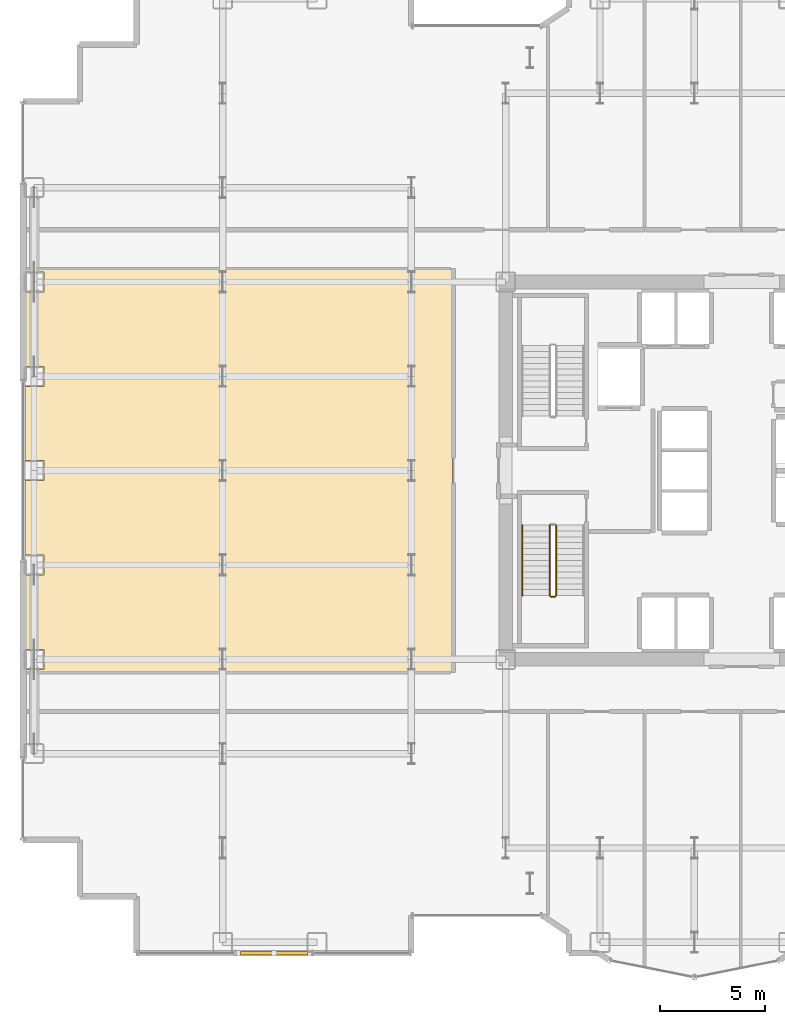
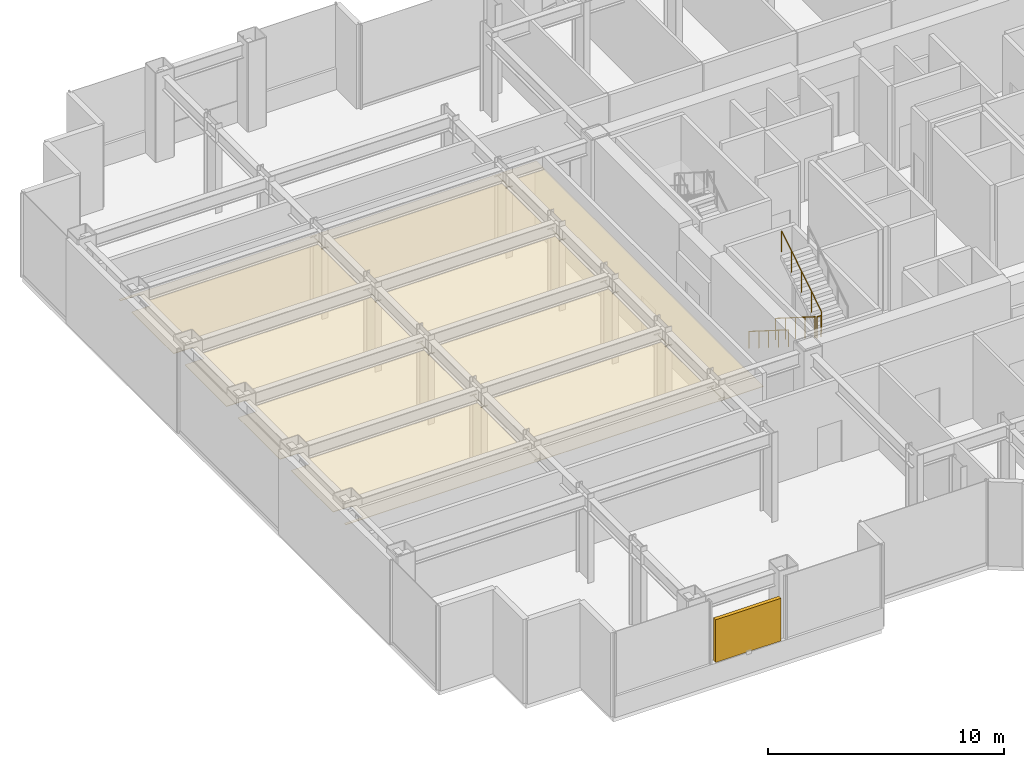
# One storey, part 27 of 30: 4 railings, 1 covering, 1 shading device.
"""IFC4 building model written with IfcOpenShell, lengths in metres."""

from ifc_helpers import new_model, si_unit, direction, frame, origin, origin_2d, place, context, subcontext, project, spatial, polyline, rectangle, circle, outline, extrude, source, transform, mapped, material, layer, layer_set, type_object, element, save


model = new_model("IFC4")

# Units and contexts
model_context = context("Model", 3, precision=1e-05, world=origin(), true_north=direction((0.0, 1.0)))
body_context = subcontext(model_context, "Body", "Model", "MODEL_VIEW")
ifc_project = project(units=[si_unit("LENGTHUNIT", "METRE"), si_unit("AREAUNIT", "SQUARE_METRE"), si_unit("VOLUMEUNIT", "CUBIC_METRE"), si_unit("PLANEANGLEUNIT", "RADIAN"), si_unit("MASSUNIT", "GRAM", prefix="KILO")], contexts=[model_context])

# Site, building, storey
site_placement = place(None, origin())
site = spatial("IfcSite", under=ifc_project, at=site_placement, CompositionType="ELEMENT")
building_placement = place(site_placement, origin())
building = spatial("IfcBuilding", under=site, at=building_placement, Name="Nefas-Gora Pilgrimage Tower", CompositionType="ELEMENT")
storey_placement = place(building_placement, frame((0.0, 0.0, 86.199951171875)))
storey = spatial("IfcBuildingStorey", under=building, at=storey_placement, Name="L20", CompositionType="ELEMENT", Elevation=86.199951171875)

# Covering
ifc_material_1 = material(Name="Perforated gypsum acoustic ceiling")
ifc_layer = layer(ifc_material_1, 0.02490234375)
ifc_layer_set = layer_set([ifc_layer], Name="Perforated gypsum acoustic ceiling")
covering_type = type_object("IfcCoveringType", Name="COV-CEIL-ACOUST", PredefinedType="CEILING", material=ifc_layer_set)
covering_placement = place(storey_placement, frame((0.0, 0.0, 3.60498046875)))
element("IfcCovering", 1, at=covering_placement, inside=storey, type_object=covering_type, Name="L20 Acoustic Suspended Ceiling (Refuge Area West)", PredefinedType="CEILING", context=body_context, shape_type="SweptSolid", body=[
    extrude(outline(polyline([(-34.18994140625, 9.47705078125), (-33.27294921875, 9.47705078125), (-33.27294921875, 8.52294921875), (-34.18994140625, 8.52294921875), (-34.18994140625, 4.97705078125), (-33.27294921875, 4.97705078125), (-33.27294921875, 4.02294921875), (-34.18994140625, 4.02294921875), (-34.18994140625, 0.47705078125), (-33.27294921875, 0.47705078125), (-33.27294921875, -0.47705078125), (-34.18994140625, -0.47705078125), (-34.18994140625, -4.02294921875), (-33.27294921875, -4.02294921875), (-33.27294921875, -4.97705078125), (-34.18994140625, -4.97705078125), (-34.18994140625, -8.52294921875), (-33.27294921875, -8.52294921875), (-33.27294921875, -9.47705078125), (-34.18994140625, -9.47705078125), (-34.18994140625, -9.60009765625), (-13.780029296875, -9.60009765625), (-13.780029296875, 9.60009765625), (-34.18994140625, 9.60009765625), (-34.18994140625, 9.47705078125)]), holes=[polyline([(-15.596923828125, 5.006103515625), (-15.596923828125, 4.9619140625), (-15.737548828125, 4.9619140625), (-15.737548828125, 4.0380859375), (-15.596923828125, 4.0380859375), (-15.596923828125, 3.993896484375), (-15.903076171875, 3.993896484375), (-15.903076171875, 4.0380859375), (-15.762451171875, 4.0380859375), (-15.762451171875, 4.9619140625), (-15.903076171875, 4.9619140625), (-15.903076171875, 5.006103515625), (-15.596923828125, 5.006103515625)]), polyline([(-15.596923828125, 9.506103515625), (-15.596923828125, 9.4619140625), (-15.737548828125, 9.4619140625), (-15.737548828125, 8.5380859375), (-15.596923828125, 8.5380859375), (-15.596923828125, 8.493896484375), (-15.903076171875, 8.493896484375), (-15.903076171875, 8.5380859375), (-15.762451171875, 8.5380859375), (-15.762451171875, 9.4619140625), (-15.903076171875, 9.4619140625), (-15.903076171875, 9.506103515625), (-15.596923828125, 9.506103515625)]), polyline([(-15.596923828125, -8.5380859375), (-15.737548828125, -8.5380859375), (-15.737548828125, -9.4619140625), (-15.596923828125, -9.4619140625), (-15.596923828125, -9.506103515625), (-15.903076171875, -9.506103515625), (-15.903076171875, -9.4619140625), (-15.762451171875, -9.4619140625), (-15.762451171875, -8.5380859375), (-15.903076171875, -8.5380859375), (-15.903076171875, -8.493896484375), (-15.596923828125, -8.493896484375), (-15.596923828125, -8.5380859375)]), polyline([(-15.596923828125, -4.0380859375), (-15.737548828125, -4.0380859375), (-15.737548828125, -4.9619140625), (-15.596923828125, -4.9619140625), (-15.596923828125, -5.006103515625), (-15.903076171875, -5.006103515625), (-15.903076171875, -4.9619140625), (-15.762451171875, -4.9619140625), (-15.762451171875, -4.0380859375), (-15.903076171875, -4.0380859375), (-15.903076171875, -3.993896484375), (-15.596923828125, -3.993896484375), (-15.596923828125, -4.0380859375)]), polyline([(-15.596923828125, 0.4619140625), (-15.737548828125, 0.4619140625), (-15.737548828125, -0.4619140625), (-15.596923828125, -0.4619140625), (-15.596923828125, -0.506103515625), (-15.903076171875, -0.506103515625), (-15.903076171875, -0.4619140625), (-15.762451171875, -0.4619140625), (-15.762451171875, 0.4619140625), (-15.903076171875, 0.4619140625), (-15.903076171875, 0.506103515625), (-15.596923828125, 0.506103515625), (-15.596923828125, 0.4619140625)]), polyline([(-24.596923828125, -3.993896484375), (-24.596923828125, -4.0380859375), (-24.737548828125, -4.0380859375), (-24.737548828125, -4.9619140625), (-24.596923828125, -4.9619140625), (-24.596923828125, -5.006103515625), (-24.903076171875, -5.006103515625), (-24.903076171875, -4.9619140625), (-24.762451171875, -4.9619140625), (-24.762451171875, -4.0380859375), (-24.903076171875, -4.0380859375), (-24.903076171875, -3.993896484375), (-24.596923828125, -3.993896484375)]), polyline([(-24.596923828125, -8.5380859375), (-24.737548828125, -8.5380859375), (-24.737548828125, -9.4619140625), (-24.596923828125, -9.4619140625), (-24.596923828125, -9.506103515625), (-24.903076171875, -9.506103515625), (-24.903076171875, -9.4619140625), (-24.762451171875, -9.4619140625), (-24.762451171875, -8.5380859375), (-24.903076171875, -8.5380859375), (-24.903076171875, -8.493896484375), (-24.596923828125, -8.493896484375), (-24.596923828125, -8.5380859375)]), polyline([(-24.596923828125, 0.4619140625), (-24.737548828125, 0.4619140625), (-24.737548828125, -0.4619140625), (-24.596923828125, -0.4619140625), (-24.596923828125, -0.506103515625), (-24.903076171875, -0.506103515625), (-24.903076171875, -0.4619140625), (-24.762451171875, -0.4619140625), (-24.762451171875, 0.4619140625), (-24.903076171875, 0.4619140625), (-24.903076171875, 0.506103515625), (-24.596923828125, 0.506103515625), (-24.596923828125, 0.4619140625)]), polyline([(-24.596923828125, 4.9619140625), (-24.737548828125, 4.9619140625), (-24.737548828125, 4.0380859375), (-24.596923828125, 4.0380859375), (-24.596923828125, 3.993896484375), (-24.903076171875, 3.993896484375), (-24.903076171875, 4.0380859375), (-24.762451171875, 4.0380859375), (-24.762451171875, 4.9619140625), (-24.903076171875, 4.9619140625), (-24.903076171875, 5.006103515625), (-24.596923828125, 5.006103515625), (-24.596923828125, 4.9619140625)]), polyline([(-24.596923828125, 9.4619140625), (-24.737548828125, 9.4619140625), (-24.737548828125, 8.5380859375), (-24.596923828125, 8.5380859375), (-24.596923828125, 8.493896484375), (-24.903076171875, 8.493896484375), (-24.903076171875, 8.5380859375), (-24.762451171875, 8.5380859375), (-24.762451171875, 9.4619140625), (-24.903076171875, 9.4619140625), (-24.903076171875, 9.506103515625), (-24.596923828125, 9.506103515625), (-24.596923828125, 9.4619140625)])]), origin(), (0.0, 0.0, 1.0), 0.025146484375),
])

# Railings
ifc_material_2 = material(Name="Painted galvanised steel", Category="steel")
railing_type_1 = type_object("IfcRailingType", Name="RLG-STR-GUARD-1100", PredefinedType="GUARDRAIL", material=ifc_material_2)
railing_1_placement = place(storey_placement, frame((-9.14990234375, -2.60009765625, 0.177001953125)))
element("IfcRailing", 2, at=railing_1_placement, inside=storey, type_object=railing_type_1, Name="L20 ST-03 stair guard 1", PredefinedType="GUARDRAIL", context=body_context, shape_type="SweptSolid", body=[
    extrude(circle(Radius=0.02392578125, at=origin_2d()), frame((0.0, 0.0, 1.09619140625), z_axis=(0.0, -0.845372108799, 0.534177870812), x_axis=(1.0, 0.0, 0.0)), (0.0, 0.0, 1.0), 3.974365234375),
    extrude(circle(Radius=0.02099609375, at=origin_2d()), origin(), (0.0, 0.0, 1.0), 1.072021484375),
    extrude(circle(Radius=0.02099609375, at=origin_2d()), frame((0.0, -0.83984375, 0.53076171875)), (0.0, 0.0, 1.0), 1.072021484375),
    extrude(circle(Radius=0.02099609375, at=origin_2d()), frame((0.0, -1.679931640625, 1.0615234375)), (0.0, 0.0, 1.0), 1.072021484375),
    extrude(circle(Radius=0.02099609375, at=origin_2d()), frame((0.0, -2.52001953125, 1.59228515625)), (0.0, 0.0, 1.0), 1.072021484375),
    extrude(circle(Radius=0.02099609375, at=origin_2d()), frame((0.0, -3.35986328125, 2.123046875)), (0.0, 0.0, 1.0), 1.072021484375),
])
railing_2_placement = place(storey_placement, frame((-9.10009765625, -6.010009765625, 2.300048828125)))
element("IfcRailing", 3, at=railing_2_placement, inside=storey, type_object=railing_type_1, Name="L20 ST-03 stair guard 2", PredefinedType="GUARDRAIL", context=body_context, shape_type="SweptSolid", body=[
    extrude(circle(Radius=0.02392578125, at=origin_2d()), frame((0.0, 0.0, 1.09619140625), z_axis=(1.0, 0.0, 0.0), x_axis=(0.0, 1.0, 0.0)), (0.0, 0.0, 1.0), 0.2001953125),
    extrude(circle(Radius=0.02099609375, at=origin_2d()), origin(), (0.0, 0.0, 1.0), 1.072021484375),
    extrude(circle(Radius=0.02099609375, at=origin_2d()), frame((0.2001953125, 0.0, 0.0)), (0.0, 0.0, 1.0), 1.072021484375),
])
railing_3_placement = place(storey_placement, frame((-8.85009765625, -5.9599609375, 2.47705078125)))
element("IfcRailing", 4, at=railing_3_placement, inside=storey, type_object=railing_type_1, Name="L20 ST-03 stair guard 3", PredefinedType="GUARDRAIL", context=body_context, shape_type="SweptSolid", body=[
    extrude(circle(Radius=0.02392578125, at=origin_2d()), frame((0.0, 0.0, 1.09619140625), z_axis=(0.0, 0.845372108799, 0.534177870812), x_axis=(-1.0, 0.0, 0.0)), (0.0, 0.0, 1.0), 3.974365234375),
    extrude(circle(Radius=0.02099609375, at=origin_2d()), origin(), (0.0, 0.0, 1.0), 1.072021484375),
    extrude(circle(Radius=0.02099609375, at=origin_2d()), frame((0.0, 0.83984375, 0.53076171875)), (0.0, 0.0, 1.0), 1.072021484375),
    extrude(circle(Radius=0.02099609375, at=origin_2d()), frame((0.0, 1.679931640625, 1.0615234375)), (0.0, 0.0, 1.0), 1.072021484375),
    extrude(circle(Radius=0.02099609375, at=origin_2d()), frame((0.0, 2.52001953125, 1.59228515625)), (0.0, 0.0, 1.0), 1.072021484375),
    extrude(circle(Radius=0.02099609375, at=origin_2d()), frame((0.0, 3.35986328125, 2.123046875)), (0.0, 0.0, 1.0), 1.072021484375),
])
ifc_material_3 = material(Name="Brushed stainless steel", Category="steel")
railing_type_2 = type_object("IfcRailingType", Name="RLG-STR-HAND-900", PredefinedType="HANDRAIL", material=ifc_material_3)
railing_4_placement = place(storey_placement, frame((-10.449951171875, -2.60009765625, 0.177001953125)))
element("IfcRailing", 5, at=railing_4_placement, inside=storey, type_object=railing_type_2, Name="L20 ST-03 stair handrail 1", PredefinedType="HANDRAIL", context=body_context, shape_type="SweptSolid", body=[
    extrude(circle(Radius=0.02392578125, at=origin_2d()), frame((0.0, 0.0, 0.8759765625), z_axis=(0.0, -0.845372108799, 0.534177870812), x_axis=(1.0, 0.0, 0.0)), (0.0, 0.0, 1.0), 3.974365234375),
    extrude(circle(Radius=0.02099609375, at=origin_2d()), origin(), (0.0, 0.0, 1.0), 0.851806640625),
    extrude(circle(Radius=0.02099609375, at=origin_2d()), frame((0.0, -0.83984375, 0.53076171875)), (0.0, 0.0, 1.0), 0.851806640625),
    extrude(circle(Radius=0.02099609375, at=origin_2d()), frame((0.0, -1.679931640625, 1.0615234375)), (0.0, 0.0, 1.0), 0.851806640625),
    extrude(circle(Radius=0.02099609375, at=origin_2d()), frame((0.0, -2.52001953125, 1.59228515625)), (0.0, 0.0, 1.0), 0.851806640625),
    extrude(circle(Radius=0.02099609375, at=origin_2d()), frame((0.0, -3.35986328125, 2.123046875)), (0.0, 0.0, 1.0), 0.851806640625),
])

# Shading device
ifc_material_4 = material(Name="Dark-bronze anodised aluminium acoustic storm louvre", Category="aluminium")
shading_device_type = type_object("IfcShadingDeviceType", Name="SHD-LOUVRE-JAL", PredefinedType="JALOUSIE", material=ifc_material_4)
shared_shape = source(origin(), body_context, "Body", "SweptSolid", [
    extrude(rectangle(XDim=3.199951171875, YDim=0.179931640625, at=origin_2d()), origin(), (0.0, 0.0, 1.0), 2.199951171875),
])
shading_device_placement = place(storey_placement, frame((-22.31005859375, -23.02001953125, 1.10009765625), z_axis=(0.0, 0.0, 1.0), x_axis=(1.0, 0.0, 0.0)))
element("IfcShadingDevice", 6, at=shading_device_placement, inside=storey, type_object=shading_device_type, Name="L20 High-Altitude Storm Louvre Assembly 35", PredefinedType="JALOUSIE", context=body_context, shape_type="MappedRepresentation", body=[
    mapped(shared_shape, transform((0.0, 0.0, 0.0), x_axis=(1.0, 0.0, 0.0), y_axis=(0.0, 1.0, 0.0), z_axis=(0.0, 0.0, 1.0), scale=1.0)),
])

save(model, "model.ifc")
